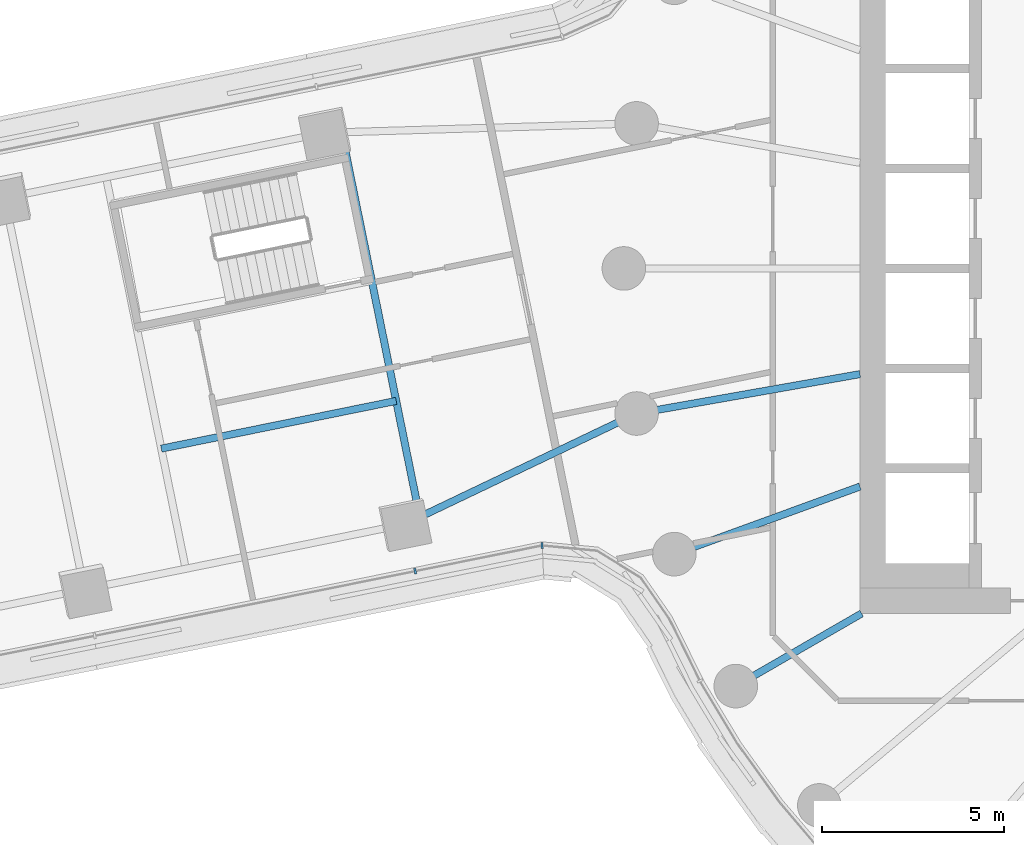
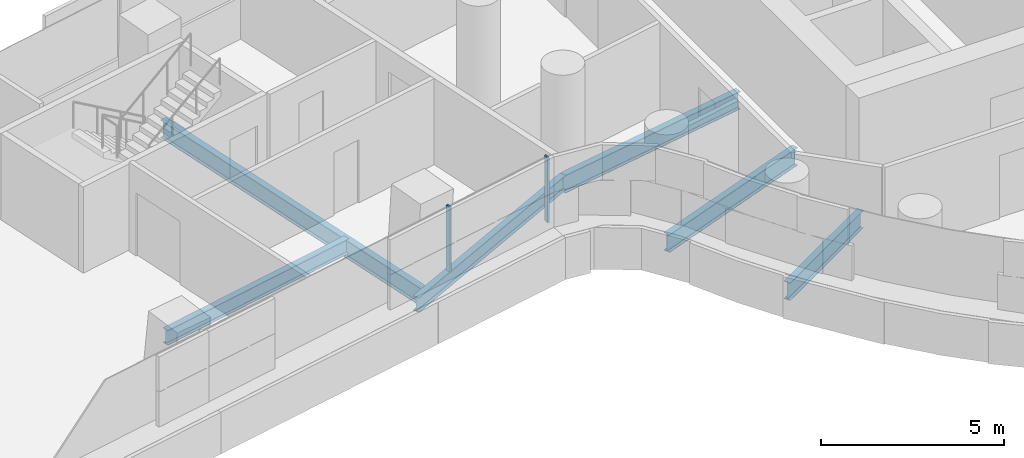
# One storey, part 5 of 31: 6 beams, 2 members, 2 elements without a shape of their own.
"""IFC4 building model written with IfcOpenShell, lengths in metres."""

from ifc_helpers import new_model, si_unit, direction, frame, origin, origin_2d, place, context, subcontext, project, spatial, rectangle, i_section, extrude, material, layer, layer_set, material_profile, profile_set, type_object, element, aggregate, save


model = new_model("IFC4")

# Units and contexts
model_context = context("Model", 3, precision=1e-05, world=origin(), true_north=direction((0.0, 1.0)))
body_context = subcontext(model_context, "Body", "Model", "MODEL_VIEW")
ifc_project = project(units=[si_unit("LENGTHUNIT", "METRE"), si_unit("AREAUNIT", "SQUARE_METRE"), si_unit("VOLUMEUNIT", "CUBIC_METRE"), si_unit("PLANEANGLEUNIT", "RADIAN"), si_unit("MASSUNIT", "GRAM", prefix="KILO")], contexts=[model_context])

# Site, building, storey
site_placement = place(None, origin())
site = spatial("IfcSite", under=ifc_project, at=site_placement, CompositionType="ELEMENT")
building_placement = place(site_placement, origin())
building = spatial("IfcBuilding", under=site, at=building_placement, Name="Tamarind Cross Interchange Tower", CompositionType="ELEMENT")
storey_placement = place(building_placement, frame((0.0, 0.0, 75.25)))
storey = spatial("IfcBuildingStorey", under=building, at=storey_placement, Name="L17", CompositionType="ELEMENT", Elevation=75.25)

# Beams
ifc_material_1 = material(Name="Steel Q355B", Category="steel")
ifc_material_profile_1 = material_profile(ifc_material_1, i_section(OverallWidth=0.198974609375, OverallDepth=0.49609375, WebThickness=0.009033203125, FlangeThickness=0.013916015625, FilletRadius=0.012939453125, at=origin_2d()), Name="HN 496x199x9x14")
ifc_profile_set_1 = profile_set([ifc_material_profile_1], Name="Steel Q355B")
beam_type_1 = type_object("IfcBeamType", Name="Composite beam HN 496x199x9x14 Q355B", PredefinedType="BEAM", material=ifc_profile_set_1)
beam_1_placement = place(storey_placement, frame((-29.037841796875, -7.04345703125, -0.387939453125), z_axis=(0.902419471347, 0.430858558849, 0.0), x_axis=(-0.430858558849, 0.902419471347, 0.0)))
element("IfcBeam", 1, at=beam_1_placement, inside=storey, type_object=beam_type_1, Name="Beam W-linkep", PredefinedType="BEAM", context=body_context, shape_type="SweptSolid", body=[
    extrude(i_section(OverallWidth=0.198974609375, OverallDepth=0.49609375, WebThickness=0.009033203125, FlangeThickness=0.013916015625, FilletRadius=0.012939453125, at=origin_2d()), origin(), (0.0, 0.0, 1.0), 7.077880859375),
])
beam_2_placement = place(storey_placement, frame((-29.269287109375, -3.646484375, -0.387939453125), z_axis=(-0.979951109481, -0.199238106363, 0.0), x_axis=(0.199238106363, -0.979951109481, 0.0)))
element("IfcBeam", 2, at=beam_2_placement, inside=storey, type_object=beam_type_1, Name="Beam W-stripp", PredefinedType="BEAM", context=body_context, shape_type="SweptSolid", body=[
    extrude(i_section(OverallWidth=0.198974609375, OverallDepth=0.49609375, WebThickness=0.009033203125, FlangeThickness=0.013916015625, FilletRadius=0.012939453125, at=origin_2d()), origin(), (0.0, 0.0, 1.0), 6.599853515625),
])
ifc_material_profile_2 = material_profile(ifc_material_1, i_section(OverallWidth=0.198974609375, OverallDepth=0.595947265625, WebThickness=0.010009765625, FlangeThickness=0.014892578125, FilletRadius=0.012939453125, at=origin_2d()), Name="HN 596x199x10x15")
ifc_profile_set_2 = profile_set([ifc_material_profile_2], Name="Steel Q355B")
beam_type_2 = type_object("IfcBeamType", Name="Composite beam HN 596x199x10x15 Q355B", PredefinedType="BEAM", material=ifc_profile_set_2)
beam_3_placement = place(storey_placement, frame((-22.650634765625, -3.993896484375, -0.43798828125), z_axis=(0.984809127561, 0.173640382036, 0.0), x_axis=(-0.173640382036, 0.984809127561, 0.0)))
element("IfcBeam", 3, at=beam_3_placement, inside=storey, type_object=beam_type_2, Name="Beam HH19", PredefinedType="BEAM", context=body_context, shape_type="SweptSolid", body=[
    extrude(i_section(OverallWidth=0.198974609375, OverallDepth=0.595947265625, WebThickness=0.010009765625, FlangeThickness=0.014892578125, FilletRadius=0.012939453125, at=origin_2d()), origin(), (0.0, 0.0, 1.0), 6.24560546875),
])
beam_4_placement = place(storey_placement, frame((-21.613037109375, -7.866455078125, -0.43798828125), z_axis=(0.939701685589, 0.341995236956, 0.0), x_axis=(-0.341995236956, 0.939701685589, 0.0)))
element("IfcBeam", 4, at=beam_4_placement, inside=storey, type_object=beam_type_2, Name="Beam HH20", PredefinedType="BEAM", context=body_context, shape_type="SweptSolid", body=[
    extrude(i_section(OverallWidth=0.198974609375, OverallDepth=0.595947265625, WebThickness=0.010009765625, FlangeThickness=0.014892578125, FilletRadius=0.012939453125, at=origin_2d()), origin(), (0.0, 0.0, 1.0), 5.441162109375),
])
beam_5_placement = place(storey_placement, frame((-19.918701171875, -11.5, -0.43798828125), z_axis=(0.866026010844, 0.49999894854, 0.0), x_axis=(-0.49999894854, 0.866026010844, 0.0)))
element("IfcBeam", 5, at=beam_5_placement, inside=storey, type_object=beam_type_2, Name="Beam HH21", PredefinedType="BEAM", context=body_context, shape_type="SweptSolid", body=[
    extrude(i_section(OverallWidth=0.198974609375, OverallDepth=0.595947265625, WebThickness=0.010009765625, FlangeThickness=0.014892578125, FilletRadius=0.012939453125, at=origin_2d()), origin(), (0.0, 0.0, 1.0), 4.0),
])
ifc_material_profile_3 = material_profile(ifc_material_1, i_section(OverallWidth=0.199951171875, OverallDepth=0.60009765625, WebThickness=0.010986328125, FlangeThickness=0.01708984375, FilletRadius=0.012939453125, at=origin_2d()), Name="HN 600x200x11x17")
ifc_profile_set_3 = profile_set([ifc_material_profile_3], Name="Steel Q355B")
beam_type_3 = type_object("IfcBeamType", Name="Composite beam HN 600x200x11x17 Q355B", PredefinedType="BEAM", material=ifc_profile_set_3)
beam_6_placement = place(storey_placement, frame((-30.77294921875, 3.749755859375, -0.43994140625), z_axis=(0.199242250621, -0.979950266885, 0.0), x_axis=(0.979950266885, 0.199242250621, 0.0)))
element("IfcBeam", 6, at=beam_6_placement, inside=storey, type_object=beam_type_3, Name="Beam W-x298", PredefinedType="BEAM", context=body_context, shape_type="SweptSolid", body=[
    extrude(i_section(OverallWidth=0.199951171875, OverallDepth=0.60009765625, WebThickness=0.010986328125, FlangeThickness=0.01708984375, FilletRadius=0.012939453125, at=origin_2d()), origin(), (0.0, 0.0, 1.0), 10.81005859375),
])

# Curtain wall, member
ifc_material_2 = material(Name="Aluminium 6063-T6", Category="aluminium")
ifc_layer = layer(ifc_material_2, 0.159912109375)
ifc_layer_set = layer_set([ifc_layer], Name="Aluminium 6063-T6")
curtain_wall_type = type_object("IfcCurtainWallType", Name="Office curtain wall, 9.0 m bays", PredefinedType="NOTDEFINED", material=ifc_layer_set)
curtain_wall_1_placement = place(storey_placement, origin())
curtain_wall_1 = element("IfcCurtainWall", 7, at=curtain_wall_1_placement, inside=storey, type_object=curtain_wall_type, Name="CWS-L17-01", PredefinedType="NOTDEFINED")
ifc_material_profile_4 = material_profile(ifc_material_2, rectangle(XDim=0.06005859375, YDim=0.159912109375, at=origin_2d()), Name="Mullion CW1")
ifc_profile_set_4 = profile_set([ifc_material_profile_4], Name="Aluminium 6063-T6")
member_type = type_object("IfcMemberType", Name="Mullion CW1", PredefinedType="MULLION", material=ifc_profile_set_4)
member_1_placement = place(storey_placement, frame((-28.745849609375, -8.332275390625, 1.39990234375), z_axis=(0.0, 0.0, 1.0), x_axis=(0.980197408272, 0.19802282903, 0.0)))
member_1 = element("IfcMember", 8, at=member_1_placement, type_object=member_type, Name="CWM-L17-01-02", PredefinedType="MULLION", context=body_context, shape_type="SweptSolid", body=[
    extrude(rectangle(XDim=0.06005859375, YDim=0.159912109375, at=origin_2d()), origin(), (0.0, 0.0, 1.0), 2.170166015625),
])
aggregate(curtain_wall_1, [member_1])

curtain_wall_2_placement = place(storey_placement, origin())
curtain_wall_2 = element("IfcCurtainWall", 9, at=curtain_wall_2_placement, inside=storey, type_object=curtain_wall_type, Name="CWS-L17-02", PredefinedType="NOTDEFINED")
member_2_placement = place(storey_placement, frame((-25.25341796875, -7.626708984375, 1.39990234375), z_axis=(0.0, 0.0, 1.0), x_axis=(0.998634097767, 0.052248816044, 0.0)))
member_2 = element("IfcMember", 10, at=member_2_placement, type_object=member_type, Name="CWM-L17-02-00", PredefinedType="MULLION", context=body_context, shape_type="SweptSolid", body=[
    extrude(rectangle(XDim=0.06005859375, YDim=0.159912109375, at=origin_2d()), origin(), (0.0, 0.0, 1.0), 2.170166015625),
])
aggregate(curtain_wall_2, [member_2])

save(model, "model.ifc")
